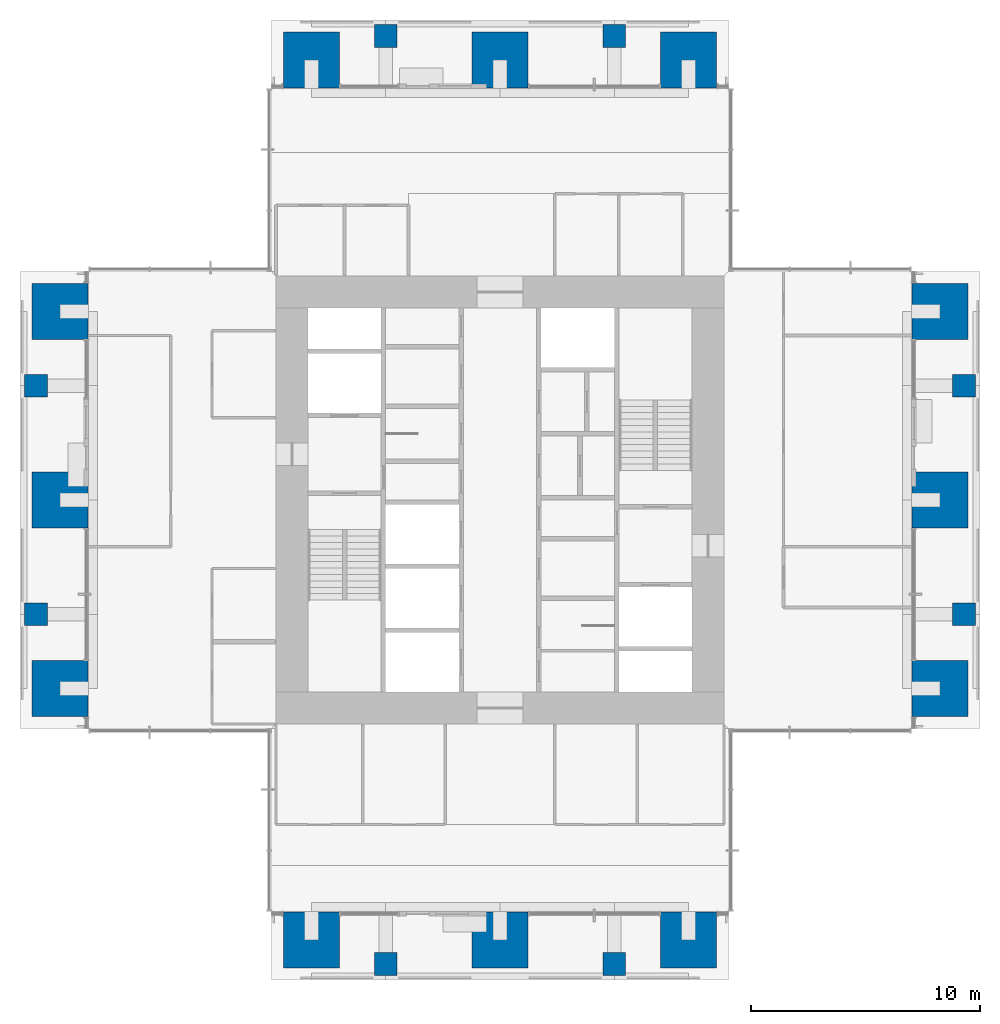
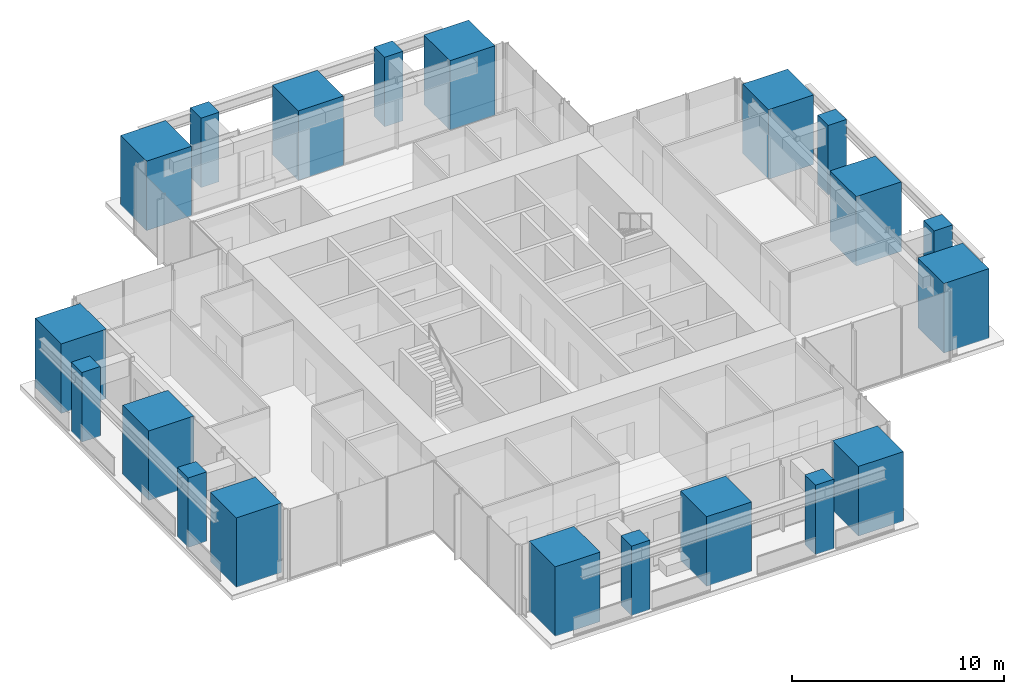
# One storey, part 1 of 17: 20 columns.
"""IFC4 building model written with IfcOpenShell, lengths in metres."""

from ifc_helpers import new_model, si_unit, direction, frame, origin, origin_2d, place, context, subcontext, project, spatial, rectangle, extrude, material, material_profile, profile_set, type_object, element, save


model = new_model("IFC4")

# Units and contexts
model_context = context("Model", 3, precision=1e-05, world=origin(), true_north=direction((0.0, 1.0)))
body_context = subcontext(model_context, "Body", "Model", "MODEL_VIEW")
ifc_project = project(units=[si_unit("LENGTHUNIT", "METRE"), si_unit("AREAUNIT", "SQUARE_METRE"), si_unit("VOLUMEUNIT", "CUBIC_METRE"), si_unit("PLANEANGLEUNIT", "RADIAN"), si_unit("MASSUNIT", "GRAM", prefix="KILO")], contexts=[model_context])

# Site, building, storey
site_placement = place(None, origin())
site = spatial("IfcSite", under=ifc_project, at=site_placement, CompositionType="ELEMENT")
building_placement = place(site_placement, origin())
building = spatial("IfcBuilding", under=site, at=building_placement, Name="Svetlomir Tower", CompositionType="ELEMENT")
storey_placement = place(building_placement, frame((0.0, 0.0, 198.5)))
storey = spatial("IfcBuildingStorey", under=building, at=storey_placement, Name="L47", CompositionType="ELEMENT", Elevation=198.5)

# Columns
ifc_material_1 = material(Name="Concrete C60/75", Category="concrete")
ifc_material_profile_1 = material_profile(ifc_material_1, rectangle(XDim=1.0, YDim=1.0, at=origin_2d()), Name="RC 1000x1000")
ifc_profile_set_1 = profile_set([ifc_material_profile_1], Name="Concrete C60/75")
column_type_1 = type_object("IfcColumnType", Name="COLUMN RC 1000x1000", PredefinedType="COLUMN", material=ifc_profile_set_1)
for number, where, z_axis, x_axis, name in (
    (1, (16.0, 0.699951171875, 0.0), (0.0, 0.0, 1.0), (1.0, 0.0, 0.0), "Column 16/0 L47"),
    (2, (26.0, 0.699951171875, 0.0), (0.0, 0.0, 1.0), (1.0, 0.0, 0.0), "Column 26/0 L47"),
    (3, (0.699951171875, 16.0, 0.0), (0.0, 0.0, 1.0), (1.0, 0.0, 0.0), "Column 0/16 L47"),
    (4, (41.300048828125, 16.0, 0.0), (0.0, 0.0, 1.0), (1.0, 0.0, 0.0), "Column 42/16 L47"),
    (5, (0.699951171875, 26.0, 0.0), (0.0, 0.0, 1.0), (1.0, 0.0, 0.0), "Column 0/26 L47"),
    (6, (41.300048828125, 26.0, 0.0), (0.0, 0.0, 1.0), (1.0, 0.0, 0.0), "Column 42/26 L47"),
    (7, (16.0, 41.300048828125, 0.0), (0.0, 0.0, 1.0), (1.0, 0.0, 0.0), "Column 16/42 L47"),
    (8, (26.0, 41.300048828125, 0.0), (0.0, 0.0, 1.0), (1.0, 0.0, 0.0), "Column 26/42 L47"),
):
    element("IfcColumn", number, at=place(storey_placement, frame(where, z_axis=z_axis, x_axis=x_axis)), inside=storey, type_object=column_type_1, Name=name, PredefinedType="COLUMN", context=body_context, shape_type="SweptSolid", body=[
        extrude(rectangle(XDim=1.0, YDim=1.0, at=origin_2d()), origin(), (0.0, 0.0, 1.0), 4.0),
    ])
ifc_material_2 = material(Name="Concrete C60/75", Category="concrete")
ifc_material_profile_2 = material_profile(ifc_material_2, rectangle(XDim=2.449951171875, YDim=2.449951171875, at=origin_2d()), Name="RC 2450x2450")
ifc_profile_set_2 = profile_set([ifc_material_profile_2], Name="Concrete C60/75")
column_type_2 = type_object("IfcColumnType", Name="COLUMN RC 2450x2450", PredefinedType="COLUMN", material=ifc_profile_set_2)
for number, where, z_axis, x_axis, name in (
    (9, (12.75, 1.75, 0.0), (0.0, 0.0, 1.0), (1.0, 0.0, 0.0), "Column 11/0 L47"),
    (10, (21.0, 1.75, 0.0), (0.0, 0.0, 1.0), (1.0, 0.0, 0.0), "Column 21/0 L47"),
    (11, (29.25, 1.75, 0.0), (0.0, 0.0, 1.0), (1.0, 0.0, 0.0), "Column 31/0 L47"),
    (12, (1.75, 12.75, 0.0), (0.0, 0.0, 1.0), (1.0, 0.0, 0.0), "Column 0/11 L47"),
    (13, (40.25, 12.75, 0.0), (0.0, 0.0, 1.0), (1.0, 0.0, 0.0), "Column 42/11 L47"),
    (14, (1.75, 21.0, 0.0), (0.0, 0.0, 1.0), (1.0, 0.0, 0.0), "Column 0/21 L47"),
    (15, (40.25, 21.0, 0.0), (0.0, 0.0, 1.0), (1.0, 0.0, 0.0), "Column 42/21 L47"),
    (16, (1.75, 29.25, 0.0), (0.0, 0.0, 1.0), (1.0, 0.0, 0.0), "Column 0/31 L47"),
    (17, (40.25, 29.25, 0.0), (0.0, 0.0, 1.0), (1.0, 0.0, 0.0), "Column 42/31 L47"),
    (18, (12.75, 40.25, 0.0), (0.0, 0.0, 1.0), (1.0, 0.0, 0.0), "Column 11/42 L47"),
    (19, (21.0, 40.25, 0.0), (0.0, 0.0, 1.0), (1.0, 0.0, 0.0), "Column 21/42 L47"),
    (20, (29.25, 40.25, 0.0), (0.0, 0.0, 1.0), (1.0, 0.0, 0.0), "Column 31/42 L47"),
):
    element("IfcColumn", number, at=place(storey_placement, frame(where, z_axis=z_axis, x_axis=x_axis)), inside=storey, type_object=column_type_2, Name=name, PredefinedType="COLUMN", context=body_context, shape_type="SweptSolid", body=[
        extrude(rectangle(XDim=2.449951171875, YDim=2.449951171875, at=origin_2d()), origin(), (0.0, 0.0, 1.0), 4.0),
    ])

save(model, "model.ifc")
